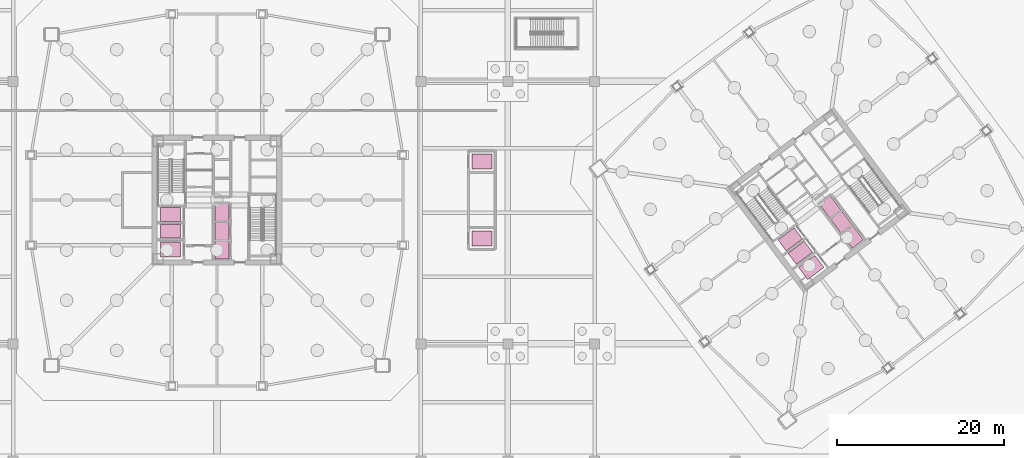
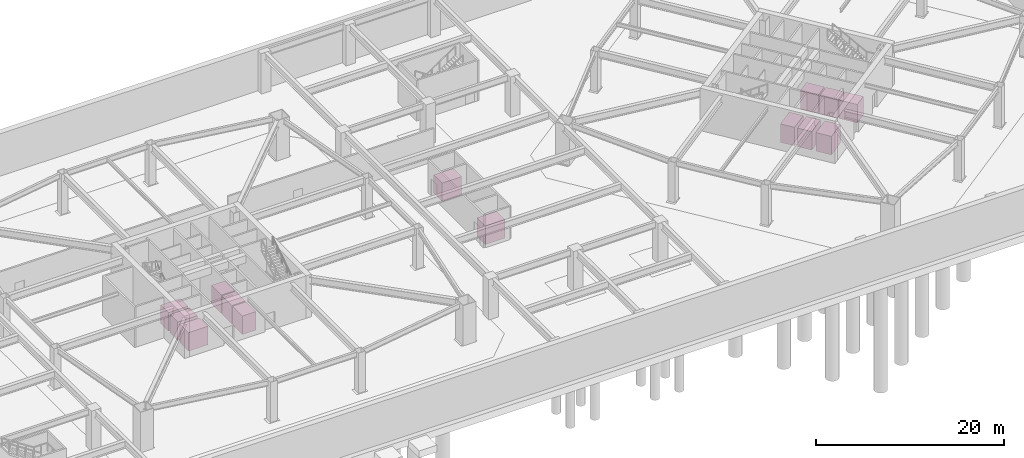
# One storey, part 19 of 19: 14 transport elements.
"""IFC4 building model written with IfcOpenShell, lengths in metres."""

from ifc_helpers import new_model, si_unit, direction, frame, origin, origin_2d, place, context, subcontext, project, spatial, rectangle, extrude, material, type_object, element, save


model = new_model("IFC4")

# Units and contexts
model_context = context("Model", 3, precision=1e-05, world=origin(), true_north=direction((0.0, 1.0)))
body_context = subcontext(model_context, "Body", "Model", "MODEL_VIEW")
ifc_project = project(units=[si_unit("LENGTHUNIT", "METRE"), si_unit("AREAUNIT", "SQUARE_METRE"), si_unit("VOLUMEUNIT", "CUBIC_METRE"), si_unit("PLANEANGLEUNIT", "RADIAN"), si_unit("MASSUNIT", "GRAM", prefix="KILO")], contexts=[model_context])

# Site, building, storey
site_placement = place(None, origin())
site = spatial("IfcSite", under=ifc_project, at=site_placement, CompositionType="ELEMENT")
building_placement = place(site_placement, origin())
building = spatial("IfcBuilding", under=site, at=building_placement, Name="Tashvorn Skyway Center", CompositionType="ELEMENT")
storey_placement = place(building_placement, frame((0.0, 0.0, -11.0)))
storey = spatial("IfcBuildingStorey", under=building, at=storey_placement, Name="B2", CompositionType="ELEMENT", Elevation=-11.0)

# Transport elements
ifc_material_1 = material(Name="Fire-service stainless steel cab", Category="steel")
transport_element_type_1 = type_object("IfcTransportElementType", Name="LIFT-FSAE-1800", PredefinedType="ELEVATOR", material=ifc_material_1)
for number, where, z_axis, x_axis, name in (
    (1, (36.449951171875, 30.27490234375, 0.0), (0.0, 0.0, 1.0), (1.0, 0.0, 0.0), "Elevator Car FF-T1-1"),
    (2, (36.449951171875, 28.27490234375, 0.0), (0.0, 0.0, 1.0), (1.0, 0.0, 0.0), "Elevator Car FF-T1-2"),
    (3, (110.594970703125, 27.2900390625, 0.0), (0.0, 0.0, 1.0), (0.799999996291, 0.600000004945, 0.0), "Elevator Car FF-T2-1"),
    (4, (111.794921875, 25.68994140625, 0.0), (0.0, 0.0, 1.0), (0.799999996291, 0.600000004945, 0.0), "Elevator Car FF-T2-2"),
):
    element("IfcTransportElement", number, at=place(storey_placement, frame(where, z_axis=z_axis, x_axis=x_axis)), inside=storey, type_object=transport_element_type_1, Name=name, PredefinedType="ELEVATOR", context=body_context, shape_type="SweptSolid", body=[
        extrude(rectangle(XDim=2.39990234375, YDim=1.64990234375, at=origin_2d()), origin(), (0.0, 0.0, 1.0), 2.39990234375),
    ])
ifc_material_2 = material(Name="Heavy-duty freight cab")
transport_element_type_2 = type_object("IfcTransportElementType", Name="LIFT-GOODS-2500", PredefinedType="ELEVATOR", material=ifc_material_2)
for number, where, z_axis, x_axis, name in (
    (5, (36.449951171875, 26.074951171875, 0.0), (0.0, 0.0, 1.0), (1.0, 0.0, 0.0), "Elevator Car GD-T1-1"),
    (6, (113.114990234375, 23.929931640625, 0.0), (0.0, 0.0, 1.0), (0.799999996291, 0.600000004945, 0.0), "Elevator Car GD-T2-1"),
    (7, (73.699951171875, 27.39990234375, 0.0), (0.0, 0.0, 1.0), (1.0, 0.0, 0.0), "Station Concourse Elevator Car STN-L1"),
    (8, (73.699951171875, 36.60009765625, 0.0), (0.0, 0.0, 1.0), (1.0, 0.0, 0.0), "Station Concourse Elevator Car STN-L2"),
):
    element("IfcTransportElement", number, at=place(storey_placement, frame(where, z_axis=z_axis, x_axis=x_axis)), inside=storey, type_object=transport_element_type_2, Name=name, PredefinedType="ELEVATOR", context=body_context, shape_type="SweptSolid", body=[
        extrude(rectangle(XDim=2.39990234375, YDim=1.800048828125, at=origin_2d()), origin(), (0.0, 0.0, 1.0), 2.39990234375),
    ])
ifc_material_3 = material(Name="Architectural bronze passenger cab")
transport_element_type_3 = type_object("IfcTransportElementType", Name="LIFT-PAX-1600", PredefinedType="ELEVATOR", material=ifc_material_3)
for number, where, z_axis, x_axis, name in (
    (9, (42.60009765625, 26.02490234375, 0.0), (0.0, 0.0, 1.0), (1.0, 0.0, 0.0), "Elevator Car LR-T1-1"),
    (10, (42.60009765625, 28.27490234375, 0.0), (0.0, 0.0, 1.0), (1.0, 0.0, 0.0), "Elevator Car LR-T1-2"),
    (11, (42.60009765625, 30.52490234375, 0.0), (0.0, 0.0, 1.0), (1.0, 0.0, 0.0), "Elevator Car LR-T1-3"),
    (12, (118.06494140625, 27.580078125, 0.0), (0.0, 0.0, 1.0), (0.799999996291, 0.600000004945, 0.0), "Elevator Car LR-T2-1"),
    (13, (116.715087890625, 29.3798828125, 0.0), (0.0, 0.0, 1.0), (0.799999996291, 0.600000004945, 0.0), "Elevator Car LR-T2-2"),
    (14, (115.364990234375, 31.179931640625, 0.0), (0.0, 0.0, 1.0), (0.799999996291, 0.600000004945, 0.0), "Elevator Car LR-T2-3"),
):
    element("IfcTransportElement", number, at=place(storey_placement, frame(where, z_axis=z_axis, x_axis=x_axis)), inside=storey, type_object=transport_element_type_3, Name=name, PredefinedType="ELEVATOR", context=body_context, shape_type="SweptSolid", body=[
        extrude(rectangle(XDim=1.64990234375, YDim=2.10009765625, at=origin_2d()), origin(), (0.0, 0.0, 1.0), 2.39990234375),
    ])

save(model, "model.ifc")
